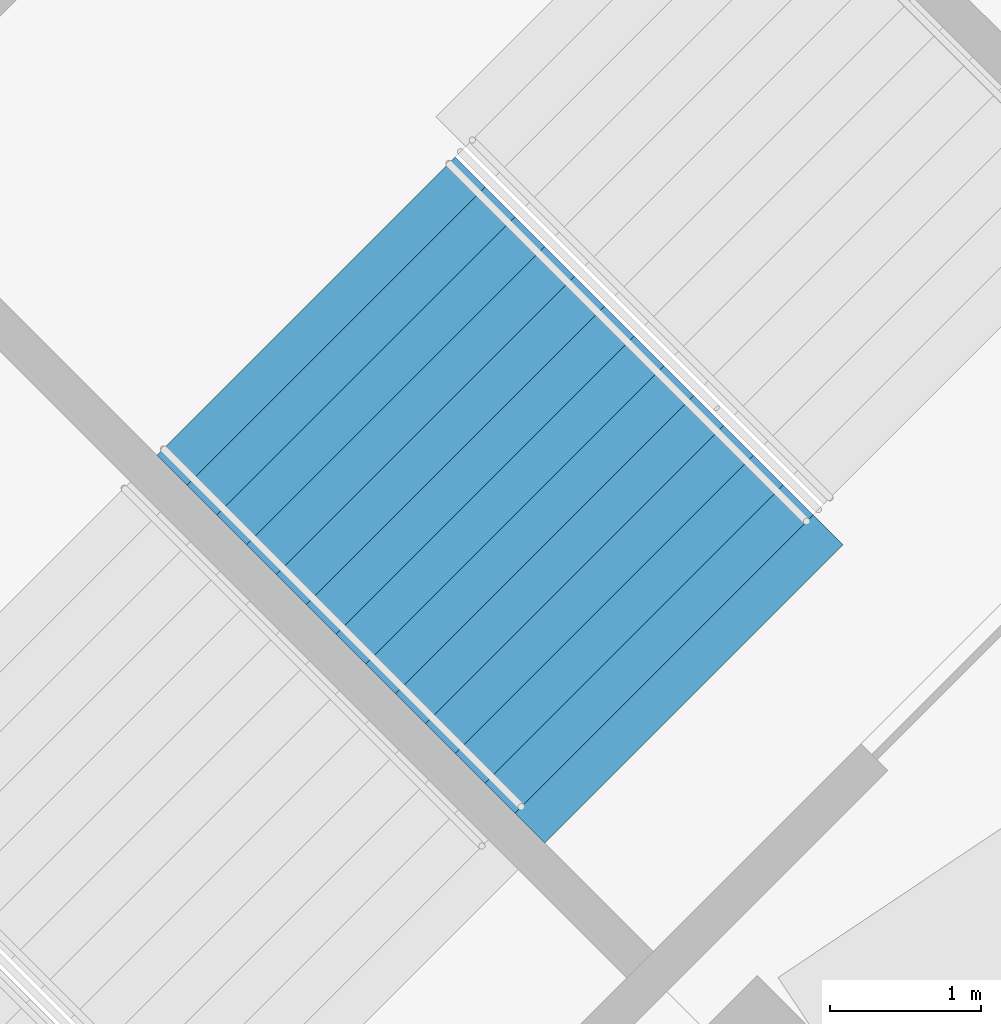
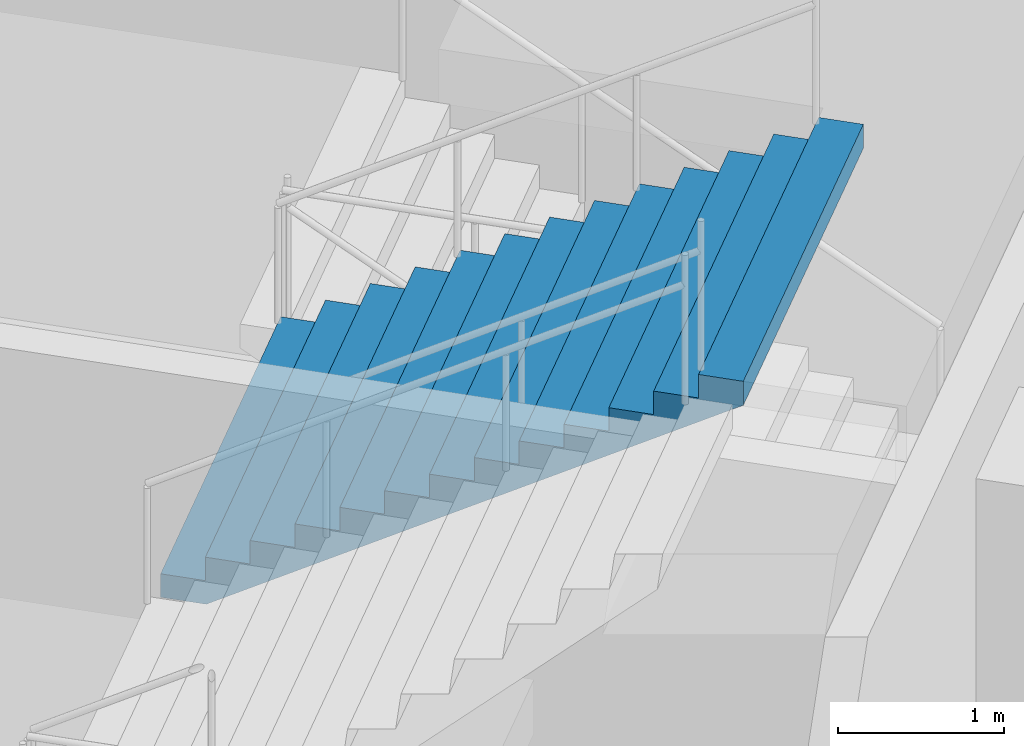
# One storey, part 160 of 199: 1 stair flight, 1 element without a shape of its own.
"""IFC4 building model written with IfcOpenShell, lengths in metres."""

from ifc_helpers import new_model, si_unit, direction, frame, origin, place, context, subcontext, project, spatial, faceted_brep, material, type_object, element, aggregate, save


model = new_model("IFC4")

# Units and contexts
model_context = context("Model", 3, precision=1e-05, world=origin(), true_north=direction((0.0, 1.0)))
body_context = subcontext(model_context, "Body", "Model", "MODEL_VIEW")
ifc_project = project(units=[si_unit("LENGTHUNIT", "METRE"), si_unit("AREAUNIT", "SQUARE_METRE"), si_unit("VOLUMEUNIT", "CUBIC_METRE"), si_unit("PLANEANGLEUNIT", "RADIAN"), si_unit("MASSUNIT", "GRAM", prefix="KILO")], contexts=[model_context])

# Site, building, storey
site_placement = place(None, origin())
site = spatial("IfcSite", under=ifc_project, at=site_placement, CompositionType="ELEMENT")
building_placement = place(site_placement, origin())
building = spatial("IfcBuilding", under=site, at=building_placement, Name="Ogive Plaza Stadium", CompositionType="ELEMENT")
storey_placement = place(building_placement, frame((0.0, 0.0, 4.5)))
storey = spatial("IfcBuildingStorey", under=building, at=storey_placement, Name="L01", CompositionType="ELEMENT", Elevation=4.5)

# Stair, stair flight
ifc_material_1 = material(Name="Concrete C40/50", Category="concrete")
stair_type = type_object("IfcStairType", Name="Exit stair", PredefinedType="STRAIGHT_RUN_STAIR", material=ifc_material_1)
stair_placement = place(storey_placement, origin())
stair = element("IfcStair", 1, at=stair_placement, inside=storey, type_object=stair_type, Name="Exit stair ST30A L01 to L02", PredefinedType="STRAIGHT_RUN_STAIR")
ifc_material_2 = material(Name="Concrete C40/50", Category="concrete")
stair_flight_type = type_object("IfcStairFlightType", Name="Exit stair flight", PredefinedType="STRAIGHT", material=ifc_material_2)
stair_flight_placement = place(storey_placement, frame((-65.243408203125, 85.900146484375, 2.25), z_axis=(0.0, 0.0, 1.0), x_axis=(0.707106781187, -0.707106781187, 0.0)))
stair_flight = element("IfcStairFlight", 2, at=stair_flight_placement, type_object=stair_flight_type, Name="ST30A flight 2", NumberOfRisers=13, NumberOfTreads=12, PredefinedType="STRAIGHT", RiserHeight=0.173076923, TreadLength=0.28, context=body_context, shape_type="Brep", body=[
    faceted_brep([(0.28515625, -1.39990234375, 0.0), (3.639892578125, -1.39990234375, 2.07373046875), (3.639892578125, -1.39990234375, 2.25), (3.360107421875, -1.39990234375, 2.25), (3.360107421875, -1.39990234375, 2.076904296875), (3.080078125, -1.39990234375, 2.076904296875), (3.080078125, -1.39990234375, 1.90380859375), (2.800048828125, -1.39990234375, 1.90380859375), (2.800048828125, -1.39990234375, 1.730712890625), (2.52001953125, -1.39990234375, 1.730712890625), (2.52001953125, -1.39990234375, 1.5576171875), (2.239990234375, -1.39990234375, 1.5576171875), (2.239990234375, -1.39990234375, 1.384521484375), (1.9599609375, -1.39990234375, 1.384521484375), (1.9599609375, -1.39990234375, 1.21142578125), (1.679931640625, -1.39990234375, 1.21142578125), (1.679931640625, -1.39990234375, 1.03857421875), (1.39990234375, -1.39990234375, 1.03857421875), (1.39990234375, -1.39990234375, 0.865478515625), (1.1201171875, -1.39990234375, 0.865478515625), (1.1201171875, -1.39990234375, 0.6923828125), (0.840087890625, -1.39990234375, 0.6923828125), (0.840087890625, -1.39990234375, 0.519287109375), (0.56005859375, -1.39990234375, 0.519287109375), (0.56005859375, -1.39990234375, 0.34619140625), (0.280029296875, -1.39990234375, 0.34619140625), (0.280029296875, -1.39990234375, 0.173095703125), (0.0, -1.39990234375, 0.173095703125), (0.0, -1.39990234375, 0.0), (0.0, 1.39990234375, 0.0), (0.0, 1.39990234375, 0.173095703125), (0.280029296875, 1.39990234375, 0.173095703125), (0.280029296875, 1.39990234375, 0.34619140625), (0.56005859375, 1.39990234375, 0.34619140625), (0.56005859375, 1.39990234375, 0.519287109375), (0.840087890625, 1.39990234375, 0.519287109375), (0.840087890625, 1.39990234375, 0.6923828125), (1.1201171875, 1.39990234375, 0.6923828125), (1.1201171875, 1.39990234375, 0.865478515625), (1.39990234375, 1.39990234375, 0.865478515625), (1.39990234375, 1.39990234375, 1.03857421875), (1.679931640625, 1.39990234375, 1.03857421875), (1.679931640625, 1.39990234375, 1.21142578125), (1.9599609375, 1.39990234375, 1.21142578125), (1.9599609375, 1.39990234375, 1.384521484375), (2.239990234375, 1.39990234375, 1.384521484375), (2.239990234375, 1.39990234375, 1.5576171875), (2.52001953125, 1.39990234375, 1.5576171875), (2.52001953125, 1.39990234375, 1.730712890625), (2.800048828125, 1.39990234375, 1.730712890625), (2.800048828125, 1.39990234375, 1.90380859375), (3.080078125, 1.39990234375, 1.90380859375), (3.080078125, 1.39990234375, 2.076904296875), (3.360107421875, 1.39990234375, 2.076904296875), (3.360107421875, 1.39990234375, 2.25), (3.639892578125, 1.39990234375, 2.25), (3.639892578125, 1.39990234375, 2.07373046875), (0.28515625, 1.39990234375, 0.0), (0.28515625, -1.0888671875, 0.0), (3.639892578125, -1.0888671875, 2.07373046875), (0.28515625, -0.77783203125, 0.0), (3.639892578125, -0.77783203125, 2.07373046875), (0.28515625, -0.466796875, 0.0), (3.639892578125, -0.466796875, 2.07373046875), (0.28515625, -0.155517578125, 0.0), (3.639892578125, -0.155517578125, 2.07373046875), (0.28515625, 0.155517578125, 0.0), (3.639892578125, 0.155517578125, 2.07373046875), (0.28515625, 0.466796875, 0.0), (3.639892578125, 0.466796875, 2.07373046875), (0.28515625, 0.77783203125, 0.0), (3.639892578125, 0.77783203125, 2.07373046875), (0.28515625, 1.0888671875, 0.0), (3.639892578125, 1.0888671875, 2.07373046875), (3.639892578125, -1.0888671875, 2.25), (3.639892578125, -0.77783203125, 2.25), (3.639892578125, -0.466796875, 2.25), (3.639892578125, -0.155517578125, 2.25), (3.639892578125, 0.155517578125, 2.25), (3.639892578125, 0.466796875, 2.25), (3.639892578125, 0.77783203125, 2.25), (3.639892578125, 1.0888671875, 2.25), (3.360107421875, -1.0888671875, 2.25), (3.360107421875, -0.77783203125, 2.25), (3.360107421875, -0.466796875, 2.25), (3.360107421875, -0.155517578125, 2.25), (3.360107421875, 0.155517578125, 2.25), (3.360107421875, 0.466796875, 2.25), (3.360107421875, 0.77783203125, 2.25), (3.360107421875, 1.0888671875, 2.25), (3.360107421875, -1.0888671875, 2.076904296875), (3.360107421875, -0.77783203125, 2.076904296875), (3.360107421875, -0.466796875, 2.076904296875), (3.360107421875, -0.155517578125, 2.076904296875), (3.360107421875, 0.155517578125, 2.076904296875), (3.360107421875, 0.466796875, 2.076904296875), (3.360107421875, 0.77783203125, 2.076904296875), (3.360107421875, 1.0888671875, 2.076904296875), (3.080078125, -1.0888671875, 2.076904296875), (3.080078125, -0.77783203125, 2.076904296875), (3.080078125, -0.466796875, 2.076904296875), (3.080078125, -0.155517578125, 2.076904296875), (3.080078125, 0.155517578125, 2.076904296875), (3.080078125, 0.466796875, 2.076904296875), (3.080078125, 0.77783203125, 2.076904296875), (3.080078125, 1.0888671875, 2.076904296875), (3.080078125, -1.0888671875, 1.90380859375), (3.080078125, -0.77783203125, 1.90380859375), (3.080078125, -0.466796875, 1.90380859375), (3.080078125, -0.155517578125, 1.90380859375), (3.080078125, 0.155517578125, 1.90380859375), (3.080078125, 0.466796875, 1.90380859375), (3.080078125, 0.77783203125, 1.90380859375), (3.080078125, 1.0888671875, 1.90380859375), (2.800048828125, -1.0888671875, 1.90380859375), (2.800048828125, -0.77783203125, 1.90380859375), (2.800048828125, -0.466796875, 1.90380859375), (2.800048828125, -0.155517578125, 1.90380859375), (2.800048828125, 0.155517578125, 1.90380859375), (2.800048828125, 0.466796875, 1.90380859375), (2.800048828125, 0.77783203125, 1.90380859375), (2.800048828125, 1.0888671875, 1.90380859375), (2.800048828125, -1.0888671875, 1.730712890625), (2.800048828125, -0.77783203125, 1.730712890625), (2.800048828125, -0.466796875, 1.730712890625), (2.800048828125, -0.155517578125, 1.730712890625), (2.800048828125, 0.155517578125, 1.730712890625), (2.800048828125, 0.466796875, 1.730712890625), (2.800048828125, 0.77783203125, 1.730712890625), (2.800048828125, 1.0888671875, 1.730712890625), (2.52001953125, -1.0888671875, 1.730712890625), (2.52001953125, -0.77783203125, 1.730712890625), (2.52001953125, -0.466796875, 1.730712890625), (2.52001953125, -0.155517578125, 1.730712890625), (2.52001953125, 0.155517578125, 1.730712890625), (2.52001953125, 0.466796875, 1.730712890625), (2.52001953125, 0.77783203125, 1.730712890625), (2.52001953125, 1.0888671875, 1.730712890625), (2.52001953125, -1.0888671875, 1.5576171875), (2.52001953125, -0.77783203125, 1.5576171875), (2.52001953125, -0.466796875, 1.5576171875), (2.52001953125, -0.155517578125, 1.5576171875), (2.52001953125, 0.155517578125, 1.5576171875), (2.52001953125, 0.466796875, 1.5576171875), (2.52001953125, 0.77783203125, 1.5576171875), (2.52001953125, 1.0888671875, 1.5576171875), (2.239990234375, -1.0888671875, 1.5576171875), (2.239990234375, -0.77783203125, 1.5576171875), (2.239990234375, -0.466796875, 1.5576171875), (2.239990234375, -0.155517578125, 1.5576171875), (2.239990234375, 0.155517578125, 1.5576171875), (2.239990234375, 0.466796875, 1.5576171875), (2.239990234375, 0.77783203125, 1.5576171875), (2.239990234375, 1.0888671875, 1.5576171875), (2.239990234375, -1.0888671875, 1.384521484375), (2.239990234375, -0.77783203125, 1.384521484375), (2.239990234375, -0.466796875, 1.384521484375), (2.239990234375, -0.155517578125, 1.384521484375), (2.239990234375, 0.155517578125, 1.384521484375), (2.239990234375, 0.466796875, 1.384521484375), (2.239990234375, 0.77783203125, 1.384521484375), (2.239990234375, 1.0888671875, 1.384521484375), (1.9599609375, -1.0888671875, 1.384521484375), (1.9599609375, -0.77783203125, 1.384521484375), (1.9599609375, -0.466796875, 1.384521484375), (1.9599609375, -0.155517578125, 1.384521484375), (1.9599609375, 0.155517578125, 1.384521484375), (1.9599609375, 0.466796875, 1.384521484375), (1.9599609375, 0.77783203125, 1.384521484375), (1.9599609375, 1.0888671875, 1.384521484375), (1.9599609375, -1.0888671875, 1.21142578125), (1.9599609375, -0.77783203125, 1.21142578125), (1.9599609375, -0.466796875, 1.21142578125), (1.9599609375, -0.155517578125, 1.21142578125), (1.9599609375, 0.155517578125, 1.21142578125), (1.9599609375, 0.466796875, 1.21142578125), (1.9599609375, 0.77783203125, 1.21142578125), (1.9599609375, 1.0888671875, 1.21142578125), (1.679931640625, -1.0888671875, 1.21142578125), (1.679931640625, -0.77783203125, 1.21142578125), (1.679931640625, -0.466796875, 1.21142578125), (1.679931640625, -0.155517578125, 1.21142578125), (1.679931640625, 0.155517578125, 1.21142578125), (1.679931640625, 0.466796875, 1.21142578125), (1.679931640625, 0.77783203125, 1.21142578125), (1.679931640625, 1.0888671875, 1.21142578125), (1.679931640625, -1.0888671875, 1.03857421875), (1.679931640625, -0.77783203125, 1.03857421875), (1.679931640625, -0.466796875, 1.03857421875), (1.679931640625, -0.155517578125, 1.03857421875), (1.679931640625, 0.155517578125, 1.03857421875), (1.679931640625, 0.466796875, 1.03857421875), (1.679931640625, 0.77783203125, 1.03857421875), (1.679931640625, 1.0888671875, 1.03857421875), (1.39990234375, -1.0888671875, 1.03857421875), (1.39990234375, -0.77783203125, 1.03857421875), (1.39990234375, -0.466796875, 1.03857421875), (1.39990234375, -0.155517578125, 1.03857421875), (1.39990234375, 0.155517578125, 1.03857421875), (1.39990234375, 0.466796875, 1.03857421875), (1.39990234375, 0.77783203125, 1.03857421875), (1.39990234375, 1.0888671875, 1.03857421875), (1.39990234375, -1.0888671875, 0.865478515625), (1.39990234375, -0.77783203125, 0.865478515625), (1.39990234375, -0.466796875, 0.865478515625), (1.39990234375, -0.155517578125, 0.865478515625), (1.39990234375, 0.155517578125, 0.865478515625), (1.39990234375, 0.466796875, 0.865478515625), (1.39990234375, 0.77783203125, 0.865478515625), (1.39990234375, 1.0888671875, 0.865478515625), (1.1201171875, -1.0888671875, 0.865478515625), (1.1201171875, -0.77783203125, 0.865478515625), (1.1201171875, -0.466796875, 0.865478515625), (1.1201171875, -0.155517578125, 0.865478515625), (1.1201171875, 0.155517578125, 0.865478515625), (1.1201171875, 0.466796875, 0.865478515625), (1.1201171875, 0.77783203125, 0.865478515625), (1.1201171875, 1.0888671875, 0.865478515625), (1.1201171875, -1.0888671875, 0.6923828125), (1.1201171875, -0.77783203125, 0.6923828125), (1.1201171875, -0.466796875, 0.6923828125), (1.1201171875, -0.155517578125, 0.6923828125), (1.1201171875, 0.155517578125, 0.6923828125), (1.1201171875, 0.466796875, 0.6923828125), (1.1201171875, 0.77783203125, 0.6923828125), (1.1201171875, 1.0888671875, 0.6923828125), (0.840087890625, -1.0888671875, 0.6923828125), (0.840087890625, -0.77783203125, 0.6923828125), (0.840087890625, -0.466796875, 0.6923828125), (0.840087890625, -0.155517578125, 0.6923828125), (0.840087890625, 0.155517578125, 0.6923828125), (0.840087890625, 0.466796875, 0.6923828125), (0.840087890625, 0.77783203125, 0.6923828125), (0.840087890625, 1.0888671875, 0.6923828125), (0.840087890625, -1.0888671875, 0.519287109375), (0.840087890625, -0.77783203125, 0.519287109375), (0.840087890625, -0.466796875, 0.519287109375), (0.840087890625, -0.155517578125, 0.519287109375), (0.840087890625, 0.155517578125, 0.519287109375), (0.840087890625, 0.466796875, 0.519287109375), (0.840087890625, 0.77783203125, 0.519287109375), (0.840087890625, 1.0888671875, 0.519287109375), (0.56005859375, -1.0888671875, 0.519287109375), (0.56005859375, -0.77783203125, 0.519287109375), (0.56005859375, -0.466796875, 0.519287109375), (0.56005859375, -0.155517578125, 0.519287109375), (0.56005859375, 0.155517578125, 0.519287109375), (0.56005859375, 0.466796875, 0.519287109375), (0.56005859375, 0.77783203125, 0.519287109375), (0.56005859375, 1.0888671875, 0.519287109375), (0.56005859375, -1.0888671875, 0.34619140625), (0.56005859375, -0.77783203125, 0.34619140625), (0.56005859375, -0.466796875, 0.34619140625), (0.56005859375, -0.155517578125, 0.34619140625), (0.56005859375, 0.155517578125, 0.34619140625), (0.56005859375, 0.466796875, 0.34619140625), (0.56005859375, 0.77783203125, 0.34619140625), (0.56005859375, 1.0888671875, 0.34619140625), (0.280029296875, -1.0888671875, 0.34619140625), (0.280029296875, -0.77783203125, 0.34619140625), (0.280029296875, -0.466796875, 0.34619140625), (0.280029296875, -0.155517578125, 0.34619140625), (0.280029296875, 0.155517578125, 0.34619140625), (0.280029296875, 0.466796875, 0.34619140625), (0.280029296875, 0.77783203125, 0.34619140625), (0.280029296875, 1.0888671875, 0.34619140625), (0.280029296875, -1.0888671875, 0.173095703125), (0.280029296875, -0.77783203125, 0.173095703125), (0.280029296875, -0.466796875, 0.173095703125), (0.280029296875, -0.155517578125, 0.173095703125), (0.280029296875, 0.155517578125, 0.173095703125), (0.280029296875, 0.466796875, 0.173095703125), (0.280029296875, 0.77783203125, 0.173095703125), (0.280029296875, 1.0888671875, 0.173095703125), (0.0, -1.0888671875, 0.173095703125), (0.0, -0.77783203125, 0.173095703125), (0.0, -0.466796875, 0.173095703125), (0.0, -0.155517578125, 0.173095703125), (0.0, 0.155517578125, 0.173095703125), (0.0, 0.466796875, 0.173095703125), (0.0, 0.77783203125, 0.173095703125), (0.0, 1.0888671875, 0.173095703125), (0.0, -1.0888671875, 0.0), (0.0, -0.77783203125, 0.0), (0.0, -0.466796875, 0.0), (0.0, -0.155517578125, 0.0), (0.0, 0.155517578125, 0.0), (0.0, 0.466796875, 0.0), (0.0, 0.77783203125, 0.0), (0.0, 1.0888671875, 0.0)], [[[0, 1, 2, 3, 4, 5, 6, 7, 8, 9, 10, 11, 12, 13, 14, 15, 16, 17, 18, 19, 20, 21, 22, 23, 24, 25, 26, 27, 28]], [[29, 30, 31, 32, 33, 34, 35, 36, 37, 38, 39, 40, 41, 42, 43, 44, 45, 46, 47, 48, 49, 50, 51, 52, 53, 54, 55, 56, 57]], [[0, 58, 59, 1]], [[58, 60, 61, 59]], [[60, 62, 63, 61]], [[62, 64, 65, 63]], [[64, 66, 67, 65]], [[66, 68, 69, 67]], [[68, 70, 71, 69]], [[70, 72, 73, 71]], [[72, 57, 56, 73]], [[1, 59, 74, 2]], [[59, 61, 75, 74]], [[61, 63, 76, 75]], [[63, 65, 77, 76]], [[65, 67, 78, 77]], [[67, 69, 79, 78]], [[69, 71, 80, 79]], [[71, 73, 81, 80]], [[73, 56, 55, 81]], [[2, 74, 82, 3]], [[74, 75, 83, 82]], [[75, 76, 84, 83]], [[76, 77, 85, 84]], [[77, 78, 86, 85]], [[78, 79, 87, 86]], [[79, 80, 88, 87]], [[80, 81, 89, 88]], [[81, 55, 54, 89]], [[3, 82, 90, 4]], [[82, 83, 91, 90]], [[83, 84, 92, 91]], [[84, 85, 93, 92]], [[85, 86, 94, 93]], [[86, 87, 95, 94]], [[87, 88, 96, 95]], [[88, 89, 97, 96]], [[89, 54, 53, 97]], [[4, 90, 98, 5]], [[90, 91, 99, 98]], [[91, 92, 100, 99]], [[92, 93, 101, 100]], [[93, 94, 102, 101]], [[94, 95, 103, 102]], [[95, 96, 104, 103]], [[96, 97, 105, 104]], [[97, 53, 52, 105]], [[5, 98, 106, 6]], [[98, 99, 107, 106]], [[99, 100, 108, 107]], [[100, 101, 109, 108]], [[101, 102, 110, 109]], [[102, 103, 111, 110]], [[103, 104, 112, 111]], [[104, 105, 113, 112]], [[105, 52, 51, 113]], [[6, 106, 114, 7]], [[106, 107, 115, 114]], [[107, 108, 116, 115]], [[108, 109, 117, 116]], [[109, 110, 118, 117]], [[110, 111, 119, 118]], [[111, 112, 120, 119]], [[112, 113, 121, 120]], [[113, 51, 50, 121]], [[7, 114, 122, 8]], [[114, 115, 123, 122]], [[115, 116, 124, 123]], [[116, 117, 125, 124]], [[117, 118, 126, 125]], [[118, 119, 127, 126]], [[119, 120, 128, 127]], [[120, 121, 129, 128]], [[121, 50, 49, 129]], [[8, 122, 130, 9]], [[122, 123, 131, 130]], [[123, 124, 132, 131]], [[124, 125, 133, 132]], [[125, 126, 134, 133]], [[126, 127, 135, 134]], [[127, 128, 136, 135]], [[128, 129, 137, 136]], [[129, 49, 48, 137]], [[9, 130, 138, 10]], [[130, 131, 139, 138]], [[131, 132, 140, 139]], [[132, 133, 141, 140]], [[133, 134, 142, 141]], [[134, 135, 143, 142]], [[135, 136, 144, 143]], [[136, 137, 145, 144]], [[137, 48, 47, 145]], [[10, 138, 146, 11]], [[138, 139, 147, 146]], [[139, 140, 148, 147]], [[140, 141, 149, 148]], [[141, 142, 150, 149]], [[142, 143, 151, 150]], [[143, 144, 152, 151]], [[144, 145, 153, 152]], [[145, 47, 46, 153]], [[11, 146, 154, 12]], [[146, 147, 155, 154]], [[147, 148, 156, 155]], [[148, 149, 157, 156]], [[149, 150, 158, 157]], [[150, 151, 159, 158]], [[151, 152, 160, 159]], [[152, 153, 161, 160]], [[153, 46, 45, 161]], [[12, 154, 162, 13]], [[154, 155, 163, 162]], [[155, 156, 164, 163]], [[156, 157, 165, 164]], [[157, 158, 166, 165]], [[158, 159, 167, 166]], [[159, 160, 168, 167]], [[160, 161, 169, 168]], [[161, 45, 44, 169]], [[13, 162, 170, 14]], [[162, 163, 171, 170]], [[163, 164, 172, 171]], [[164, 165, 173, 172]], [[165, 166, 174, 173]], [[166, 167, 175, 174]], [[167, 168, 176, 175]], [[168, 169, 177, 176]], [[169, 44, 43, 177]], [[14, 170, 178, 15]], [[170, 171, 179, 178]], [[171, 172, 180, 179]], [[172, 173, 181, 180]], [[173, 174, 182, 181]], [[174, 175, 183, 182]], [[175, 176, 184, 183]], [[176, 177, 185, 184]], [[177, 43, 42, 185]], [[15, 178, 186, 16]], [[178, 179, 187, 186]], [[179, 180, 188, 187]], [[180, 181, 189, 188]], [[181, 182, 190, 189]], [[182, 183, 191, 190]], [[183, 184, 192, 191]], [[184, 185, 193, 192]], [[185, 42, 41, 193]], [[16, 186, 194, 17]], [[186, 187, 195, 194]], [[187, 188, 196, 195]], [[188, 189, 197, 196]], [[189, 190, 198, 197]], [[190, 191, 199, 198]], [[191, 192, 200, 199]], [[192, 193, 201, 200]], [[193, 41, 40, 201]], [[17, 194, 202, 18]], [[194, 195, 203, 202]], [[195, 196, 204, 203]], [[196, 197, 205, 204]], [[197, 198, 206, 205]], [[198, 199, 207, 206]], [[199, 200, 208, 207]], [[200, 201, 209, 208]], [[201, 40, 39, 209]], [[18, 202, 210, 19]], [[202, 203, 211, 210]], [[203, 204, 212, 211]], [[204, 205, 213, 212]], [[205, 206, 214, 213]], [[206, 207, 215, 214]], [[207, 208, 216, 215]], [[208, 209, 217, 216]], [[209, 39, 38, 217]], [[19, 210, 218, 20]], [[210, 211, 219, 218]], [[211, 212, 220, 219]], [[212, 213, 221, 220]], [[213, 214, 222, 221]], [[214, 215, 223, 222]], [[215, 216, 224, 223]], [[216, 217, 225, 224]], [[217, 38, 37, 225]], [[20, 218, 226, 21]], [[218, 219, 227, 226]], [[219, 220, 228, 227]], [[220, 221, 229, 228]], [[221, 222, 230, 229]], [[222, 223, 231, 230]], [[223, 224, 232, 231]], [[224, 225, 233, 232]], [[225, 37, 36, 233]], [[21, 226, 234, 22]], [[226, 227, 235, 234]], [[227, 228, 236, 235]], [[228, 229, 237, 236]], [[229, 230, 238, 237]], [[230, 231, 239, 238]], [[231, 232, 240, 239]], [[232, 233, 241, 240]], [[233, 36, 35, 241]], [[22, 234, 242, 23]], [[234, 235, 243, 242]], [[235, 236, 244, 243]], [[236, 237, 245, 244]], [[237, 238, 246, 245]], [[238, 239, 247, 246]], [[239, 240, 248, 247]], [[240, 241, 249, 248]], [[241, 35, 34, 249]], [[23, 242, 250, 24]], [[242, 243, 251, 250]], [[243, 244, 252, 251]], [[244, 245, 253, 252]], [[245, 246, 254, 253]], [[246, 247, 255, 254]], [[247, 248, 256, 255]], [[248, 249, 257, 256]], [[249, 34, 33, 257]], [[24, 250, 258, 25]], [[250, 251, 259, 258]], [[251, 252, 260, 259]], [[252, 253, 261, 260]], [[253, 254, 262, 261]], [[254, 255, 263, 262]], [[255, 256, 264, 263]], [[256, 257, 265, 264]], [[257, 33, 32, 265]], [[25, 258, 266, 26]], [[258, 259, 267, 266]], [[259, 260, 268, 267]], [[260, 261, 269, 268]], [[261, 262, 270, 269]], [[262, 263, 271, 270]], [[263, 264, 272, 271]], [[264, 265, 273, 272]], [[265, 32, 31, 273]], [[26, 266, 274, 27]], [[266, 267, 275, 274]], [[267, 268, 276, 275]], [[268, 269, 277, 276]], [[269, 270, 278, 277]], [[270, 271, 279, 278]], [[271, 272, 280, 279]], [[272, 273, 281, 280]], [[273, 31, 30, 281]], [[27, 274, 282, 28]], [[274, 275, 283, 282]], [[275, 276, 284, 283]], [[276, 277, 285, 284]], [[277, 278, 286, 285]], [[278, 279, 287, 286]], [[279, 280, 288, 287]], [[280, 281, 289, 288]], [[281, 30, 29, 289]], [[28, 282, 58, 0]], [[282, 283, 60, 58]], [[283, 284, 62, 60]], [[284, 285, 64, 62]], [[285, 286, 66, 64]], [[286, 287, 68, 66]], [[287, 288, 70, 68]], [[288, 289, 72, 70]], [[289, 29, 57, 72]]]),
])
aggregate(stair, [stair_flight])

save(model, "model.ifc")
